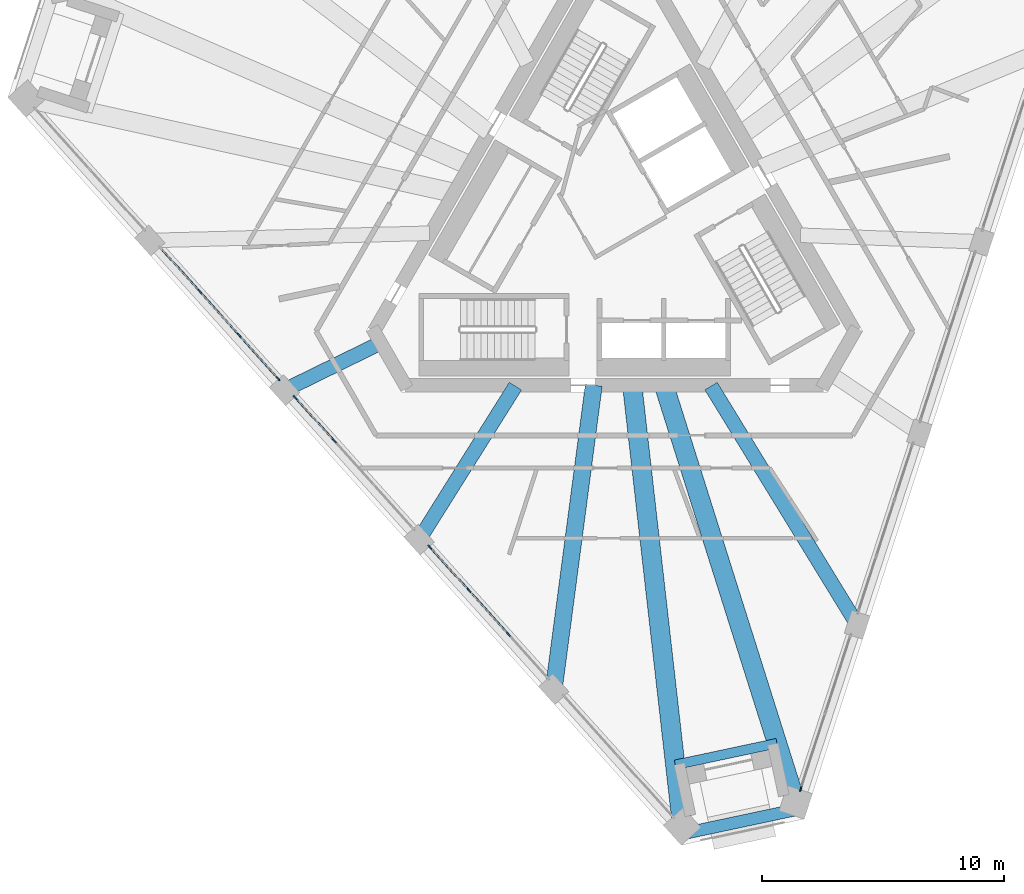
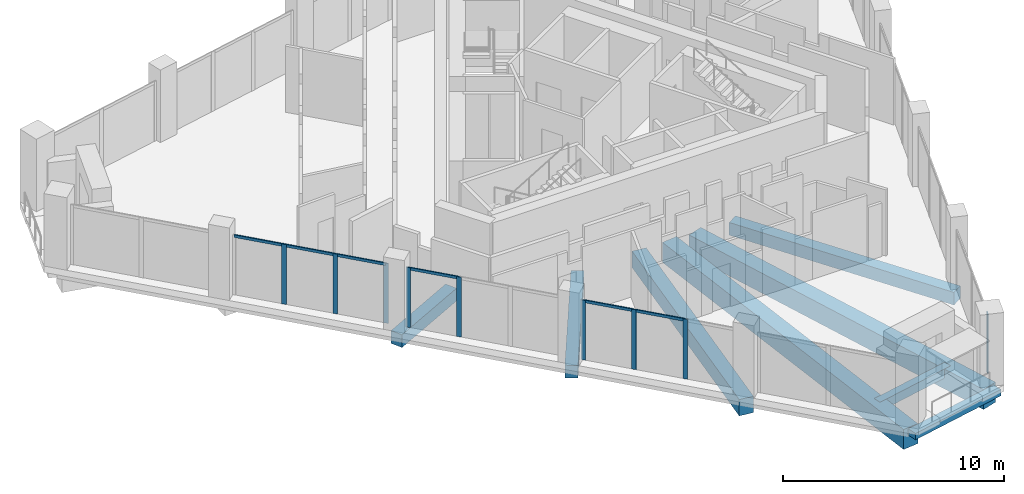
# One storey, part 3 of 17: 15 members, 8 beams, 4 elements without a shape of their own.
"""IFC4 building model written with IfcOpenShell, lengths in metres."""

from ifc_helpers import new_model, si_unit, direction, frame, origin, origin_2d, place, context, subcontext, project, spatial, rectangle, extrude, material, layer, layer_set, material_profile, profile_set, type_object, element, aggregate, save


model = new_model("IFC4")

# Units and contexts
model_context = context("Model", 3, precision=1e-05, world=origin(), true_north=direction((0.0, 1.0)))
body_context = subcontext(model_context, "Body", "Model", "MODEL_VIEW")
ifc_project = project(units=[si_unit("LENGTHUNIT", "METRE"), si_unit("AREAUNIT", "SQUARE_METRE"), si_unit("VOLUMEUNIT", "CUBIC_METRE"), si_unit("PLANEANGLEUNIT", "RADIAN"), si_unit("MASSUNIT", "GRAM", prefix="KILO")], contexts=[model_context])

# Site, building, storey
site_placement = place(None, origin())
site = spatial("IfcSite", under=ifc_project, at=site_placement, CompositionType="ELEMENT")
building_placement = place(site_placement, origin())
building = spatial("IfcBuilding", under=site, at=building_placement, Name="Tramontana Tower", CompositionType="ELEMENT")
storey_placement = place(building_placement, frame((0.0, 0.0, 348.39990234375)))
storey = spatial("IfcBuildingStorey", under=building, at=storey_placement, Name="L80", CompositionType="ELEMENT", Elevation=348.39990234375)

# Curtain wall, members
ifc_material_1 = material(Name="Aluminum extrusion", Category="aluminium")
ifc_layer = layer(ifc_material_1, 0.14990234375)
ifc_layer_set = layer_set([ifc_layer], Name="CW5 Top lounge curtain wall")
curtain_wall_type = type_object("IfcCurtainWallType", Name="CW5 Top lounge curtain wall", PredefinedType="NOTDEFINED", material=ifc_layer_set)
curtain_wall_1_placement = place(storey_placement, origin())
curtain_wall_1 = element("IfcCurtainWall", 1, at=curtain_wall_1_placement, inside=storey, type_object=curtain_wall_type, Name="CW5 curtain wall L80 face 0 bay 2", PredefinedType="NOTDEFINED")
ifc_material_2 = material(Name="Aluminum extrusion", Category="aluminium")
ifc_material_profile_1 = material_profile(ifc_material_2, rectangle(XDim=0.06005859375, YDim=0.219970703125, at=origin_2d()), Name="CW5-M Mullion 60 x 220")
ifc_profile_set_1 = profile_set([ifc_material_profile_1], Name="Aluminum extrusion")
member_type_1 = type_object("IfcMemberType", Name="CW5-M Mullion 60 x 220", PredefinedType="MULLION", material=ifc_profile_set_1)
member_1_placement = place(storey_placement, frame((-17.1357421875, -2.601318359375, 0.0), z_axis=(0.0, 0.0, 1.0), x_axis=(0.743144825477, 0.669130606359, 0.0)))
member_1 = element("IfcMember", 2, at=member_1_placement, type_object=member_type_1, Name="CW5 curtain wall L80 face 0 bay 2 mullion 2", PredefinedType="MULLION", context=body_context, shape_type="SweptSolid", body=[
    extrude(rectangle(XDim=0.06005859375, YDim=0.219970703125, at=origin_2d()), origin(), (0.0, 0.0, 1.0), 3.300048828125),
])
member_2_placement = place(storey_placement, frame((-15.50439453125, -4.4130859375, 0.0), z_axis=(0.0, 0.0, 1.0), x_axis=(0.743144825477, 0.669130606359, 0.0)))
member_2 = element("IfcMember", 3, at=member_2_placement, type_object=member_type_1, Name="CW5 curtain wall L80 face 0 bay 2 mullion 3", PredefinedType="MULLION", context=body_context, shape_type="SweptSolid", body=[
    extrude(rectangle(XDim=0.06005859375, YDim=0.219970703125, at=origin_2d()), origin(), (0.0, 0.0, 1.0), 3.300048828125),
])
member_3_placement = place(storey_placement, frame((-13.89306640625, -6.20263671875, 0.0), z_axis=(0.0, 0.0, 1.0), x_axis=(0.743144825477, 0.669130606359, 0.0)))
member_3 = element("IfcMember", 4, at=member_3_placement, type_object=member_type_1, Name="CW5 curtain wall L80 face 0 bay 2 mullion 4", PredefinedType="MULLION", context=body_context, shape_type="SweptSolid", body=[
    extrude(rectangle(XDim=0.06005859375, YDim=0.219970703125, at=origin_2d()), origin(), (0.0, 0.0, 1.0), 3.300048828125),
])

curtain_wall_2_placement = place(storey_placement, origin())
curtain_wall_2 = element("IfcCurtainWall", 5, at=curtain_wall_2_placement, inside=storey, type_object=curtain_wall_type, Name="CW5 curtain wall L80 face 0 bay 3", PredefinedType="NOTDEFINED")
member_4_placement = place(storey_placement, frame((-13.183837890625, -6.990234375, 0.0), z_axis=(0.0, 0.0, 1.0), x_axis=(0.743144825477, 0.669130606359, 0.0)))
member_4 = element("IfcMember", 6, at=member_4_placement, type_object=member_type_1, Name="CW5 curtain wall L80 face 0 bay 3 mullion 1", PredefinedType="MULLION", context=body_context, shape_type="SweptSolid", body=[
    extrude(rectangle(XDim=0.06005859375, YDim=0.219970703125, at=origin_2d()), origin(), (0.0, 0.0, 1.0), 3.300048828125),
])
member_5_placement = place(storey_placement, frame((-11.57275390625, -8.77978515625, 0.0), z_axis=(0.0, 0.0, 1.0), x_axis=(0.743144825477, 0.669130606359, 0.0)))
member_5 = element("IfcMember", 7, at=member_5_placement, type_object=member_type_1, Name="CW5 curtain wall L80 face 0 bay 3 mullion 2", PredefinedType="MULLION", context=body_context, shape_type="SweptSolid", body=[
    extrude(rectangle(XDim=0.06005859375, YDim=0.219970703125, at=origin_2d()), origin(), (0.0, 0.0, 1.0), 3.300048828125),
])

curtain_wall_3_placement = place(storey_placement, origin())
curtain_wall_3 = element("IfcCurtainWall", 8, at=curtain_wall_3_placement, inside=storey, type_object=curtain_wall_type, Name="CW5 curtain wall L80 face 0 bay 4", PredefinedType="NOTDEFINED")
member_6_placement = place(storey_placement, frame((-7.620849609375, -13.168701171875, 0.0), z_axis=(0.0, 0.0, 1.0), x_axis=(0.743144825477, 0.669130606359, 0.0)))
member_6 = element("IfcMember", 9, at=member_6_placement, type_object=member_type_1, Name="CW5 curtain wall L80 face 0 bay 4 mullion 1", PredefinedType="MULLION", context=body_context, shape_type="SweptSolid", body=[
    extrude(rectangle(XDim=0.06005859375, YDim=0.219970703125, at=origin_2d()), origin(), (0.0, 0.0, 1.0), 3.300048828125),
])
member_7_placement = place(storey_placement, frame((-6.009521484375, -14.958251953125, 0.0), z_axis=(0.0, 0.0, 1.0), x_axis=(0.743144825477, 0.669130606359, 0.0)))
member_7 = element("IfcMember", 10, at=member_7_placement, type_object=member_type_1, Name="CW5 curtain wall L80 face 0 bay 4 mullion 2", PredefinedType="MULLION", context=body_context, shape_type="SweptSolid", body=[
    extrude(rectangle(XDim=0.06005859375, YDim=0.219970703125, at=origin_2d()), origin(), (0.0, 0.0, 1.0), 3.300048828125),
])
member_8_placement = place(storey_placement, frame((-4.37841796875, -16.77001953125, 0.0), z_axis=(0.0, 0.0, 1.0), x_axis=(0.743144825477, 0.669130606359, 0.0)))
member_8 = element("IfcMember", 11, at=member_8_placement, type_object=member_type_1, Name="CW5 curtain wall L80 face 0 bay 4 mullion 3", PredefinedType="MULLION", context=body_context, shape_type="SweptSolid", body=[
    extrude(rectangle(XDim=0.06005859375, YDim=0.219970703125, at=origin_2d()), origin(), (0.0, 0.0, 1.0), 3.300048828125),
])

# Curtain wall, member
curtain_wall_4_placement = place(storey_placement, origin())
curtain_wall_4 = element("IfcCurtainWall", 12, at=curtain_wall_4_placement, inside=storey, type_object=curtain_wall_type, Name="CW5 curtain wall L80 face 1 bay 1", PredefinedType="NOTDEFINED")
member_9_placement = place(storey_placement, frame((7.69287109375, -23.165771484375, 0.0), z_axis=(0.0, 0.0, 1.0), x_axis=(-0.951056516295, 0.309016994375, 0.0)))
member_9 = element("IfcMember", 13, at=member_9_placement, type_object=member_type_1, Name="CW5 curtain wall L80 face 1 bay 1 mullion 1", PredefinedType="MULLION", context=body_context, shape_type="SweptSolid", body=[
    extrude(rectangle(XDim=0.06005859375, YDim=0.219970703125, at=origin_2d()), origin(), (0.0, 0.0, 1.0), 3.300048828125),
])
aggregate(curtain_wall_4, [member_9])

# Member
ifc_material_3 = material(Name="Aluminum extrusion", Category="aluminium")
ifc_material_profile_2 = material_profile(ifc_material_3, rectangle(XDim=0.06005859375, YDim=0.14990234375, at=origin_2d()), Name="CW5-T Transom 60 x 150")
ifc_profile_set_2 = profile_set([ifc_material_profile_2], Name="Aluminum extrusion")
member_type_2 = type_object("IfcMemberType", Name="CW5-T Transom 60 x 150", PredefinedType="USERDEFINED", material=ifc_profile_set_2)
member_10_placement = place(storey_placement, frame((-18.726806640625, -0.834228515625, 3.239990234375), z_axis=(0.669119827321, -0.743154530825, 0.0), x_axis=(0.743154530825, 0.669119827321, 0.0)))
member_10 = element("IfcMember", 14, at=member_10_placement, type_object=member_type_2, Name="CW5 curtain wall L80 face 0 bay 2 transom 1.1", ObjectType="TRANSOM", PredefinedType="USERDEFINED", context=body_context, shape_type="SweptSolid", body=[
    extrude(rectangle(XDim=0.06005859375, YDim=0.14990234375, at=origin_2d()), origin(), (0.0, 0.0, 1.0), 2.347900390625),
])

member_11_placement = place(storey_placement, frame((-17.11572265625, -2.623779296875, 3.239990234375), z_axis=(0.669180246424, -0.74310012636, 0.0), x_axis=(0.74310012636, 0.669180246424, 0.0)))
member_11 = element("IfcMember", 15, at=member_11_placement, type_object=member_type_2, Name="CW5 curtain wall L80 face 0 bay 2 transom 2.1", ObjectType="TRANSOM", PredefinedType="USERDEFINED", context=body_context, shape_type="SweptSolid", body=[
    extrude(rectangle(XDim=0.06005859375, YDim=0.14990234375, at=origin_2d()), origin(), (0.0, 0.0, 1.0), 2.3779296875),
])

member_12_placement = place(storey_placement, frame((-15.484375, -4.435546875, 3.239990234375), z_axis=(0.669119827321, -0.743154530825, 0.0), x_axis=(0.743154530825, 0.669119827321, 0.0)))
member_12 = element("IfcMember", 16, at=member_12_placement, type_object=member_type_2, Name="CW5 curtain wall L80 face 0 bay 2 transom 3.1", ObjectType="TRANSOM", PredefinedType="USERDEFINED", context=body_context, shape_type="SweptSolid", body=[
    extrude(rectangle(XDim=0.06005859375, YDim=0.14990234375, at=origin_2d()), origin(), (0.0, 0.0, 1.0), 2.347900390625),
])

aggregate(curtain_wall_1, [member_1, member_2, member_3, member_10, member_11, member_12])

member_13_placement = place(storey_placement, frame((-13.163818359375, -7.0126953125, 3.239990234375), z_axis=(0.669119827321, -0.743154530825, 0.0), x_axis=(0.743154530825, 0.669119827321, 0.0)))
member_13 = element("IfcMember", 17, at=member_13_placement, type_object=member_type_2, Name="CW5 curtain wall L80 face 0 bay 3 transom 1.1", ObjectType="TRANSOM", PredefinedType="USERDEFINED", context=body_context, shape_type="SweptSolid", body=[
    extrude(rectangle(XDim=0.06005859375, YDim=0.14990234375, at=origin_2d()), origin(), (0.0, 0.0, 1.0), 2.347900390625),
])

aggregate(curtain_wall_2, [member_4, member_5, member_13])

member_14_placement = place(storey_placement, frame((-7.600830078125, -13.19091796875, 3.239990234375), z_axis=(0.669119827321, -0.743154530825, 0.0), x_axis=(0.743154530825, 0.669119827321, 0.0)))
member_14 = element("IfcMember", 18, at=member_14_placement, type_object=member_type_2, Name="CW5 curtain wall L80 face 0 bay 4 transom 1.1", ObjectType="TRANSOM", PredefinedType="USERDEFINED", context=body_context, shape_type="SweptSolid", body=[
    extrude(rectangle(XDim=0.06005859375, YDim=0.14990234375, at=origin_2d()), origin(), (0.0, 0.0, 1.0), 2.347900390625),
])

member_15_placement = place(storey_placement, frame((-5.989501953125, -14.98046875, 3.239990234375), z_axis=(0.669123548366, -0.743151180462, 0.0), x_axis=(0.743151180462, 0.669123548366, 0.0)))
member_15 = element("IfcMember", 19, at=member_15_placement, type_object=member_type_2, Name="CW5 curtain wall L80 face 0 bay 4 transom 2.1", ObjectType="TRANSOM", PredefinedType="USERDEFINED", context=body_context, shape_type="SweptSolid", body=[
    extrude(rectangle(XDim=0.06005859375, YDim=0.14990234375, at=origin_2d()), origin(), (0.0, 0.0, 1.0), 2.3779296875),
])

aggregate(curtain_wall_3, [member_6, member_7, member_8, member_14, member_15])

# Beams
ifc_material_4 = material(Name="Concrete 40 MPa", Category="concrete")
ifc_material_profile_3 = material_profile(ifc_material_4, rectangle(XDim=0.5, YDim=0.35009765625, at=origin_2d()), Name="RC EDGE BEAM 500X350 40 MPa")
ifc_profile_set_3 = profile_set([ifc_material_profile_3], Name="Concrete 40 MPa")
beam_type_1 = type_object("IfcBeamType", Name="RC EDGE BEAM 500X350 40 MPa", PredefinedType="SPANDREL", material=ifc_profile_set_3)
beam_1_placement = place(storey_placement, frame((2.6669921875, -25.042724609375, -0.52490234375), z_axis=(0.97814762463, 0.207911578393, 0.0), x_axis=(-0.207911578393, 0.97814762463, 0.0)))
element("IfcBeam", 20, at=beam_1_placement, inside=storey, type_object=beam_type_1, Name="Spandrel beam K1 L80", PredefinedType="SPANDREL", context=body_context, shape_type="SweptSolid", body=[
    extrude(rectangle(XDim=0.5, YDim=0.35009765625, at=origin_2d()), origin(), (0.0, 0.0, 1.0), 5.196044921875),
])
ifc_material_5 = material(Name="Concrete 40 MPa", Category="concrete")
ifc_material_profile_4 = material_profile(ifc_material_5, rectangle(XDim=0.60009765625, YDim=0.699951171875, at=origin_2d()), Name="RC GIRDER 600X700 40 MPa")
ifc_profile_set_4 = profile_set([ifc_material_profile_4], Name="Concrete 40 MPa")
beam_type_2 = type_object("IfcBeamType", Name="RC GIRDER 600X700 40 MPa", PredefinedType="BEAM", material=ifc_profile_set_4)
beam_2_placement = place(storey_placement, frame((-13.63134765625, -6.68017578125, -0.699951171875), z_axis=(0.897959158445, 0.440078799496, 0.0), x_axis=(-0.440078799496, 0.897959158445, 0.0)))
element("IfcBeam", 21, at=beam_2_placement, inside=storey, type_object=beam_type_2, Name="Radial girder C8F02 L80", PredefinedType="BEAM", context=body_context, shape_type="SweptSolid", body=[
    extrude(rectangle(XDim=0.60009765625, YDim=0.699951171875, at=origin_2d()), origin(), (0.0, 0.0, 1.0), 4.4296875),
])
beam_3_placement = place(storey_placement, frame((-8.068359375, -12.8583984375, -0.699951171875), z_axis=(0.531504835363, 0.847055257929, 0.0), x_axis=(-0.847055257929, 0.531504835363, 0.0)))
element("IfcBeam", 22, at=beam_3_placement, inside=storey, type_object=beam_type_2, Name="Radial girder C8F03 L80", PredefinedType="BEAM", context=body_context, shape_type="SweptSolid", body=[
    extrude(rectangle(XDim=0.60009765625, YDim=0.699951171875, at=origin_2d()), origin(), (0.0, 0.0, 1.0), 7.486328125),
])
beam_4_placement = place(storey_placement, frame((10.03173828125, -16.3720703125, -0.699951171875), z_axis=(-0.522458548495, 0.852664685034, 0.0), x_axis=(-0.852664685034, -0.522458548495, 0.0)))
element("IfcBeam", 23, at=beam_4_placement, inside=storey, type_object=beam_type_2, Name="Radial girder C8F05 L80", PredefinedType="BEAM", context=body_context, shape_type="SweptSolid", body=[
    extrude(rectangle(XDim=0.60009765625, YDim=0.699951171875, at=origin_2d()), origin(), (0.0, 0.0, 1.0), 11.559814453125),
])
ifc_material_6 = material(Name="Concrete 40 MPa", Category="concrete")
ifc_material_profile_5 = material_profile(ifc_material_6, rectangle(XDim=0.699951171875, YDim=0.89990234375, at=origin_2d()), Name="RC GIRDER 700X900 40 MPa")
ifc_profile_set_5 = profile_set([ifc_material_profile_5], Name="Concrete 40 MPa")
beam_type_3 = type_object("IfcBeamType", Name="RC GIRDER 700X900 40 MPa", PredefinedType="BEAM", material=ifc_profile_set_5)
beam_5_placement = place(storey_placement, frame((-2.50537109375, -19.036865234375, -0.7998046875), z_axis=(0.130493398369, 0.991449178214, 0.0), x_axis=(-0.991449178214, 0.130493398369, 0.0)))
element("IfcBeam", 24, at=beam_5_placement, inside=storey, type_object=beam_type_3, Name="Radial girder C8F04 L80", PredefinedType="BEAM", context=body_context, shape_type="SweptSolid", body=[
    extrude(rectangle(XDim=0.699951171875, YDim=0.89990234375, at=origin_2d()), origin(), (0.0, 0.0, 1.0), 12.66796875),
])
ifc_material_7 = material(Name="Concrete 40 MPa", Category="concrete")
ifc_material_profile_6 = material_profile(ifc_material_7, rectangle(XDim=0.800048828125, YDim=1.10009765625, at=origin_2d()), Name="RC GIRDER 800X1100 40 MPa")
ifc_profile_set_6 = profile_set([ifc_material_profile_6], Name="Concrete 40 MPa")
beam_type_4 = type_object("IfcBeamType", Name="RC GIRDER 800X1100 40 MPa", PredefinedType="BEAM", material=ifc_profile_set_6)
beam_6_placement = place(storey_placement, frame((2.80126953125, -24.706298828125, -0.89990234375), z_axis=(-0.112660068087, 0.993633588934, 0.0), x_axis=(-0.993633588934, -0.112660068087, 0.0)))
element("IfcBeam", 25, at=beam_6_placement, inside=storey, type_object=beam_type_4, Name="Radial girder C8K2 L80", PredefinedType="BEAM", context=body_context, shape_type="SweptSolid", body=[
    extrude(rectangle(XDim=0.800048828125, YDim=1.10009765625, at=origin_2d()), origin(), (0.0, 0.0, 1.0), 18.34619140625),
])
beam_7_placement = place(storey_placement, frame((7.489990234375, -23.709716796875, -0.89990234375), z_axis=(-0.301228407795, 0.953552015538, 0.0), x_axis=(-0.953552015538, -0.301228407795, 0.0)))
element("IfcBeam", 26, at=beam_7_placement, inside=storey, type_object=beam_type_4, Name="Radial girder C8K3 L80", PredefinedType="BEAM", context=body_context, shape_type="SweptSolid", body=[
    extrude(rectangle(XDim=0.800048828125, YDim=1.10009765625, at=origin_2d()), origin(), (0.0, 0.0, 1.0), 18.060791015625),
])
ifc_material_8 = material(Name="Concrete 40 MPa", Category="concrete")
ifc_material_profile_7 = material_profile(ifc_material_8, rectangle(XDim=0.39990234375, YDim=0.5, at=origin_2d()), Name="RC TRIM BEAM 400X500 40 MPa")
ifc_profile_set_7 = profile_set([ifc_material_profile_7], Name="Concrete 40 MPa")
beam_type_5 = type_object("IfcBeamType", Name="RC TRIM BEAM 400X500 40 MPa", PredefinedType="JOIST", material=ifc_profile_set_7)
beam_8_placement = place(storey_placement, frame((2.5126953125, -22.161865234375, -0.599853515625), z_axis=(0.978144273721, 0.207927342565, 0.0), x_axis=(-0.207927342565, 0.978144273721, 0.0)))
element("IfcBeam", 27, at=beam_8_placement, inside=storey, type_object=beam_type_5, Name="Trimmer beam K1 L80", PredefinedType="JOIST", context=body_context, shape_type="SweptSolid", body=[
    extrude(rectangle(XDim=0.39990234375, YDim=0.5, at=origin_2d()), origin(), (0.0, 0.0, 1.0), 4.2998046875),
])

save(model, "model.ifc")
